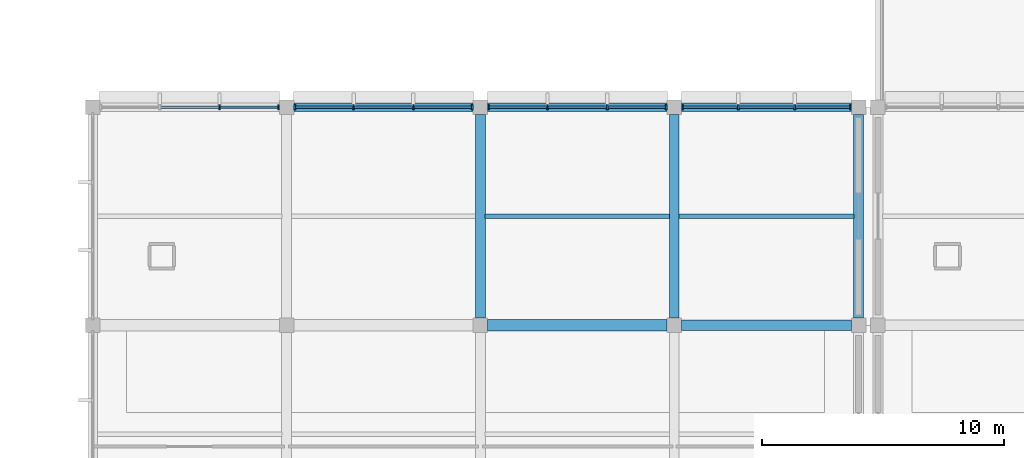
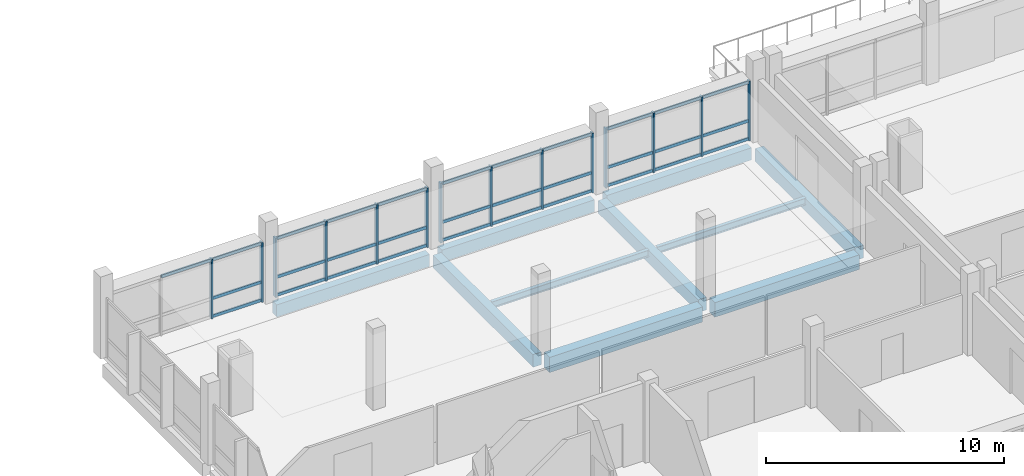
# One storey, part 22 of 70: 45 members, 10 beams, 4 elements without a shape of their own.
"""IFC4 building model written with IfcOpenShell, lengths in metres."""

from ifc_helpers import new_model, si_unit, direction, frame, origin, origin_2d, place, context, subcontext, project, spatial, rectangle, i_section, extrude, material, material_profile, profile_set, type_object, element, aggregate, save


model = new_model("IFC4")

# Units and contexts
model_context = context("Model", 3, precision=1e-05, world=origin(), true_north=direction((0.0, 1.0)))
body_context = subcontext(model_context, "Body", "Model", "MODEL_VIEW")
ifc_project = project(units=[si_unit("LENGTHUNIT", "METRE"), si_unit("AREAUNIT", "SQUARE_METRE"), si_unit("VOLUMEUNIT", "CUBIC_METRE"), si_unit("PLANEANGLEUNIT", "RADIAN"), si_unit("MASSUNIT", "GRAM", prefix="KILO"), si_unit("THERMODYNAMICTEMPERATUREUNIT", "KELVIN"), si_unit("POWERUNIT", "WATT")], contexts=[model_context])

# Site, building, storey
site_placement = place(None, origin())
site = spatial("IfcSite", under=ifc_project, at=site_placement, CompositionType="ELEMENT")
building_placement = place(site_placement, origin())
building = spatial("IfcBuilding", under=site, at=building_placement, Name="Kronsvod Quay Wholesale Market", CompositionType="ELEMENT")
storey_placement = place(building_placement, frame((0.0, 0.0, 9.0)))
storey = spatial("IfcBuildingStorey", under=building, at=storey_placement, Name="L02", CompositionType="ELEMENT", Elevation=9.0)

# Beams
ifc_material_1 = material(Name="Precast concrete C40/50", Category="concrete")
ifc_material_profile_1 = material_profile(ifc_material_1, rectangle(XDim=0.39990234375, YDim=0.64990234375, at=origin_2d()), Name="PCB400x650")
ifc_profile_set_1 = profile_set([ifc_material_profile_1], Name="Precast concrete C40/50")
beam_type_1 = type_object("IfcBeamType", Name="Beam_PCB400x650", PredefinedType="BEAM", material=ifc_profile_set_1)
for number, where, z_axis, x_axis, name in (
    (1, (48.0, 117.300048828125, -0.635009765625), (0.0, 1.0, 0.0), (-1.0, 0.0, 0.0), "BMY-L02-480-1170"),
    (2, (56.0, 117.300048828125, -0.635009765625), (0.0, 1.0, 0.0), (-1.0, 0.0, 0.0), "BMY-L02-560-1170"),
    (3, (63.60009765625, 117.300048828125, -0.635009765625), (0.0, 1.0, 0.0), (-1.0, 0.0, 0.0), "BMY-L02-636-1170"),
):
    element("IfcBeam", number, at=place(storey_placement, frame(where, z_axis=z_axis, x_axis=x_axis)), inside=storey, type_object=beam_type_1, Name=name, PredefinedType="BEAM", context=body_context, shape_type="SweptSolid", body=[
        extrude(rectangle(XDim=0.39990234375, YDim=0.64990234375, at=origin_2d()), origin(), (0.0, 0.0, 1.0), 8.39990234375),
    ])
ifc_material_2 = material(Name="Precast concrete C40/50", Category="concrete")
ifc_material_profile_2 = material_profile(ifc_material_2, rectangle(XDim=0.449951171875, YDim=0.75, at=origin_2d()), Name="PCB450x750")
ifc_profile_set_2 = profile_set([ifc_material_profile_2], Name="Precast concrete C40/50")
beam_type_2 = type_object("IfcBeamType", Name="Beam_PCB450x750", PredefinedType="BEAM", material=ifc_profile_set_2)
beam_1_placement = place(storey_placement, frame((56.300048828125, 117.0, -0.68505859375), z_axis=(1.0, 0.0, 0.0), x_axis=(0.0, 1.0, 0.0)))
element("IfcBeam", 4, at=beam_1_placement, inside=storey, type_object=beam_type_2, Name="BMX-L02-560-1170", PredefinedType="BEAM", context=body_context, shape_type="SweptSolid", body=[
    extrude(rectangle(XDim=0.449951171875, YDim=0.75, at=origin_2d()), origin(), (0.0, 0.0, 1.0), 7.0),
])
ifc_material_3 = material(Name="Precast concrete C40/50", Category="concrete")
ifc_material_profile_3 = material_profile(ifc_material_3, rectangle(XDim=0.4599609375, YDim=0.780029296875, at=origin_2d()), Name="PB-03")
ifc_profile_set_3 = profile_set([ifc_material_profile_3], Name="Precast concrete C40/50")
beam_type_3 = type_object("IfcBeamType", Name="Beam_PCB460x780", PredefinedType="BEAM", material=ifc_profile_set_3)
beam_2_placement = place(storey_placement, frame((48.300048828125, 117.0, -0.699951171875), z_axis=(1.0, 0.0, 0.0), x_axis=(0.0, 1.0, 0.0)))
element("IfcBeam", 5, at=beam_2_placement, inside=storey, type_object=beam_type_3, Name="BMX-L02-480-1170", PredefinedType="BEAM", context=body_context, shape_type="SweptSolid", body=[
    extrude(rectangle(XDim=0.4599609375, YDim=0.780029296875, at=origin_2d()), origin(), (0.0, 0.0, 1.0), 7.39990234375),
])
ifc_material_4 = material(Name="Steel S355", Category="steel")
ifc_material_profile_4 = material_profile(ifc_material_4, i_section(OverallWidth=0.174072265625, OverallDepth=0.345947265625, WebThickness=0.006103515625, FlangeThickness=0.009033203125, FilletRadius=0.013916015625, at=origin_2d()), Name="35B1")
ifc_profile_set_4 = profile_set([ifc_material_profile_4], Name="Steel S355")
beam_type_4 = type_object("IfcBeamType", Name="Joist_Steel35B1", PredefinedType="JOIST", material=ifc_profile_set_4)
beam_3_placement = place(storey_placement, frame((48.195068359375, 121.5, -0.423095703125), z_axis=(1.0, 0.0, 0.0), x_axis=(0.0, 1.0, 0.0)))
element("IfcBeam", 6, at=beam_3_placement, inside=storey, type_object=beam_type_4, Name="JSTX-L02-480-1170", PredefinedType="JOIST", context=body_context, shape_type="SweptSolid", body=[
    extrude(i_section(OverallWidth=0.174072265625, OverallDepth=0.345947265625, WebThickness=0.006103515625, FlangeThickness=0.009033203125, FilletRadius=0.013916015625, at=origin_2d()), origin(), (0.0, 0.0, 1.0), 7.60986328125),
])
beam_4_placement = place(storey_placement, frame((56.195068359375, 121.5, -0.423095703125), z_axis=(1.0, 0.0, 0.0), x_axis=(0.0, 1.0, 0.0)))
element("IfcBeam", 7, at=beam_4_placement, inside=storey, type_object=beam_type_4, Name="JSTX-L02-560-1170", PredefinedType="JOIST", context=body_context, shape_type="SweptSolid", body=[
    extrude(i_section(OverallWidth=0.174072265625, OverallDepth=0.345947265625, WebThickness=0.006103515625, FlangeThickness=0.009033203125, FilletRadius=0.013916015625, at=origin_2d()), origin(), (0.0, 0.0, 1.0), 7.2099609375),
])

# Curtain wall, members
ifc_material_5 = material(Name="Thermally broken aluminium and triple low-E glazing", Category="aluminium")
curtain_wall_type_1 = type_object("IfcCurtainWallType", Name="CW_Harbour80x33", PredefinedType="NOTDEFINED", material=ifc_material_5)
curtain_wall_1_placement = place(storey_placement, origin())
curtain_wall_1 = element("IfcCurtainWall", 8, at=curtain_wall_1_placement, inside=storey, type_object=curtain_wall_type_1, Name="CWGX-L02-320-1260", PredefinedType="NOTDEFINED")
ifc_material_6 = material(Name="Anodised aluminium", Category="aluminium")
ifc_material_profile_5 = material_profile(ifc_material_6, rectangle(XDim=0.074951171875, YDim=0.199951171875, at=origin_2d()), Name="ALUM75x200")
ifc_profile_set_5 = profile_set([ifc_material_profile_5], Name="Anodised aluminium")
member_type_1 = type_object("IfcMemberType", Name="Mullion_ALU75x200", PredefinedType="MULLION", material=ifc_profile_set_5)
member_1_placement = place(storey_placement, frame((39.66748046875, 126.0, 0.0), z_axis=(0.0, 0.0, 1.0), x_axis=(1.0, 0.0, 0.0)))
member_1 = element("IfcMember", 9, at=member_1_placement, type_object=member_type_1, Name="CWGX-L02-320-1260-M1", PredefinedType="MULLION", context=body_context, shape_type="SweptSolid", body=[
    extrude(rectangle(XDim=0.074951171875, YDim=0.199951171875, at=origin_2d()), origin(), (0.0, 0.0, 1.0), 3.050048828125),
])
member_2_placement = place(storey_placement, frame((37.235107421875, 126.0, 0.0), z_axis=(0.0, 0.0, 1.0), x_axis=(1.0, 0.0, 0.0)))
member_2 = element("IfcMember", 10, at=member_2_placement, type_object=member_type_1, Name="CWGX-L02-320-1260-M2", PredefinedType="MULLION", context=body_context, shape_type="SweptSolid", body=[
    extrude(rectangle(XDim=0.074951171875, YDim=0.199951171875, at=origin_2d()), origin(), (0.0, 0.0, 1.0), 3.050048828125),
])

curtain_wall_2_placement = place(storey_placement, origin())
curtain_wall_2 = element("IfcCurtainWall", 11, at=curtain_wall_2_placement, inside=storey, type_object=curtain_wall_type_1, Name="CWGX-L02-400-1260", PredefinedType="NOTDEFINED")
member_3_placement = place(storey_placement, frame((47.66748046875, 126.0, 0.0), z_axis=(0.0, 0.0, 1.0), x_axis=(1.0, 0.0, 0.0)))
member_3 = element("IfcMember", 12, at=member_3_placement, type_object=member_type_1, Name="CWGX-L02-400-1260-M1", PredefinedType="MULLION", context=body_context, shape_type="SweptSolid", body=[
    extrude(rectangle(XDim=0.074951171875, YDim=0.199951171875, at=origin_2d()), origin(), (0.0, 0.0, 1.0), 3.050048828125),
])
member_4_placement = place(storey_placement, frame((45.235107421875, 126.0, 0.0), z_axis=(0.0, 0.0, 1.0), x_axis=(1.0, 0.0, 0.0)))
member_4 = element("IfcMember", 13, at=member_4_placement, type_object=member_type_1, Name="CWGX-L02-400-1260-M2", PredefinedType="MULLION", context=body_context, shape_type="SweptSolid", body=[
    extrude(rectangle(XDim=0.074951171875, YDim=0.199951171875, at=origin_2d()), origin(), (0.0, 0.0, 1.0), 3.050048828125),
])
member_5_placement = place(storey_placement, frame((42.764892578125, 126.0, 0.0), z_axis=(0.0, 0.0, 1.0), x_axis=(1.0, 0.0, 0.0)))
member_5 = element("IfcMember", 14, at=member_5_placement, type_object=member_type_1, Name="CWGX-L02-400-1260-M3", PredefinedType="MULLION", context=body_context, shape_type="SweptSolid", body=[
    extrude(rectangle(XDim=0.074951171875, YDim=0.199951171875, at=origin_2d()), origin(), (0.0, 0.0, 1.0), 3.050048828125),
])
member_6_placement = place(storey_placement, frame((40.33251953125, 126.0, 0.0), z_axis=(0.0, 0.0, 1.0), x_axis=(1.0, 0.0, 0.0)))
member_6 = element("IfcMember", 15, at=member_6_placement, type_object=member_type_1, Name="CWGX-L02-400-1260-M4", PredefinedType="MULLION", context=body_context, shape_type="SweptSolid", body=[
    extrude(rectangle(XDim=0.074951171875, YDim=0.199951171875, at=origin_2d()), origin(), (0.0, 0.0, 1.0), 3.050048828125),
])

curtain_wall_3_placement = place(storey_placement, origin())
curtain_wall_3 = element("IfcCurtainWall", 16, at=curtain_wall_3_placement, inside=storey, type_object=curtain_wall_type_1, Name="CWGX-L02-480-1260", PredefinedType="NOTDEFINED")
member_7_placement = place(storey_placement, frame((55.66748046875, 126.0, 0.0), z_axis=(0.0, 0.0, 1.0), x_axis=(1.0, 0.0, 0.0)))
member_7 = element("IfcMember", 17, at=member_7_placement, type_object=member_type_1, Name="CWGX-L02-480-1260-M1", PredefinedType="MULLION", context=body_context, shape_type="SweptSolid", body=[
    extrude(rectangle(XDim=0.074951171875, YDim=0.199951171875, at=origin_2d()), origin(), (0.0, 0.0, 1.0), 3.050048828125),
])
member_8_placement = place(storey_placement, frame((53.235107421875, 126.0, 0.0), z_axis=(0.0, 0.0, 1.0), x_axis=(1.0, 0.0, 0.0)))
member_8 = element("IfcMember", 18, at=member_8_placement, type_object=member_type_1, Name="CWGX-L02-480-1260-M2", PredefinedType="MULLION", context=body_context, shape_type="SweptSolid", body=[
    extrude(rectangle(XDim=0.074951171875, YDim=0.199951171875, at=origin_2d()), origin(), (0.0, 0.0, 1.0), 3.050048828125),
])
member_9_placement = place(storey_placement, frame((50.764892578125, 126.0, 0.0), z_axis=(0.0, 0.0, 1.0), x_axis=(1.0, 0.0, 0.0)))
member_9 = element("IfcMember", 19, at=member_9_placement, type_object=member_type_1, Name="CWGX-L02-480-1260-M3", PredefinedType="MULLION", context=body_context, shape_type="SweptSolid", body=[
    extrude(rectangle(XDim=0.074951171875, YDim=0.199951171875, at=origin_2d()), origin(), (0.0, 0.0, 1.0), 3.050048828125),
])
member_10_placement = place(storey_placement, frame((48.33251953125, 126.0, 0.0), z_axis=(0.0, 0.0, 1.0), x_axis=(1.0, 0.0, 0.0)))
member_10 = element("IfcMember", 20, at=member_10_placement, type_object=member_type_1, Name="CWGX-L02-480-1260-M4", PredefinedType="MULLION", context=body_context, shape_type="SweptSolid", body=[
    extrude(rectangle(XDim=0.074951171875, YDim=0.199951171875, at=origin_2d()), origin(), (0.0, 0.0, 1.0), 3.050048828125),
])

ifc_material_7 = material(Name="Thermally broken aluminium and triple low-E glazing", Category="aluminium")
curtain_wall_type_2 = type_object("IfcCurtainWallType", Name="CW_Harbour76x33", PredefinedType="NOTDEFINED", material=ifc_material_7)
curtain_wall_4_placement = place(storey_placement, origin())
curtain_wall_4 = element("IfcCurtainWall", 21, at=curtain_wall_4_placement, inside=storey, type_object=curtain_wall_type_2, Name="CWGX-L02-560-1260", PredefinedType="NOTDEFINED")
member_11_placement = place(storey_placement, frame((63.267578125, 126.0, 0.0), z_axis=(0.0, 0.0, 1.0), x_axis=(1.0, 0.0, 0.0)))
member_11 = element("IfcMember", 22, at=member_11_placement, type_object=member_type_1, Name="CWGX-L02-560-1260-M1", PredefinedType="MULLION", context=body_context, shape_type="SweptSolid", body=[
    extrude(rectangle(XDim=0.074951171875, YDim=0.199951171875, at=origin_2d()), origin(), (0.0, 0.0, 1.0), 3.050048828125),
])
member_12_placement = place(storey_placement, frame((60.96826171875, 126.0, 0.0), z_axis=(0.0, 0.0, 1.0), x_axis=(1.0, 0.0, 0.0)))
member_12 = element("IfcMember", 23, at=member_12_placement, type_object=member_type_1, Name="CWGX-L02-560-1260-M2", PredefinedType="MULLION", context=body_context, shape_type="SweptSolid", body=[
    extrude(rectangle(XDim=0.074951171875, YDim=0.199951171875, at=origin_2d()), origin(), (0.0, 0.0, 1.0), 3.050048828125),
])
member_13_placement = place(storey_placement, frame((58.631591796875, 126.0, 0.0), z_axis=(0.0, 0.0, 1.0), x_axis=(1.0, 0.0, 0.0)))
member_13 = element("IfcMember", 24, at=member_13_placement, type_object=member_type_1, Name="CWGX-L02-560-1260-M3", PredefinedType="MULLION", context=body_context, shape_type="SweptSolid", body=[
    extrude(rectangle(XDim=0.074951171875, YDim=0.199951171875, at=origin_2d()), origin(), (0.0, 0.0, 1.0), 3.050048828125),
])
member_14_placement = place(storey_placement, frame((56.33251953125, 126.0, 0.0), z_axis=(0.0, 0.0, 1.0), x_axis=(1.0, 0.0, 0.0)))
member_14 = element("IfcMember", 25, at=member_14_placement, type_object=member_type_1, Name="CWGX-L02-560-1260-M4", PredefinedType="MULLION", context=body_context, shape_type="SweptSolid", body=[
    extrude(rectangle(XDim=0.074951171875, YDim=0.199951171875, at=origin_2d()), origin(), (0.0, 0.0, 1.0), 3.050048828125),
])

# Beams
ifc_material_8 = material(Name="Precast concrete C40/50", Category="concrete")
ifc_material_profile_6 = material_profile(ifc_material_8, rectangle(XDim=0.360107421875, YDim=0.6201171875, at=origin_2d()), Name="SPB-02")
ifc_profile_set_6 = profile_set([ifc_material_profile_6], Name="Precast concrete C40/50")
beam_type_5 = type_object("IfcBeamType", Name="Spandrel_PCSP360x620", PredefinedType="SPANDREL", material=ifc_profile_set_6)
for number, where, z_axis, x_axis, name in (
    (26, (40.300048828125, 126.0, -0.6201171875), (1.0, 0.0, 0.0), (0.0, 1.0, 0.0), "BMX-L02-400-1260"),
    (27, (48.300048828125, 126.0, -0.6201171875), (1.0, 0.0, 0.0), (0.0, 1.0, 0.0), "BMX-L02-480-1260"),
):
    element("IfcBeam", number, at=place(storey_placement, frame(where, z_axis=z_axis, x_axis=x_axis)), inside=storey, type_object=beam_type_5, Name=name, PredefinedType="SPANDREL", context=body_context, shape_type="SweptSolid", body=[
        extrude(rectangle(XDim=0.360107421875, YDim=0.6201171875, at=origin_2d()), origin(), (0.0, 0.0, 1.0), 7.39990234375),
    ])
beam_5_placement = place(storey_placement, frame((56.300048828125, 126.0, -0.6201171875), z_axis=(1.0, 0.0, 0.0), x_axis=(0.0, 1.0, 0.0)))
element("IfcBeam", 28, at=beam_5_placement, inside=storey, type_object=beam_type_5, Name="BMX-L02-560-1260", PredefinedType="SPANDREL", context=body_context, shape_type="SweptSolid", body=[
    extrude(rectangle(XDim=0.360107421875, YDim=0.6201171875, at=origin_2d()), origin(), (0.0, 0.0, 1.0), 7.0),
])

# Member
ifc_material_9 = material(Name="Anodised aluminium", Category="aluminium")
ifc_material_profile_7 = material_profile(ifc_material_9, rectangle(XDim=0.074951171875, YDim=0.14990234375, at=origin_2d()), Name="ALUT75x150")
ifc_profile_set_7 = profile_set([ifc_material_profile_7], Name="Anodised aluminium")
member_type_2 = type_object("IfcMemberType", Name="Transom_ALU75x150", PredefinedType="USERDEFINED", material=ifc_profile_set_7)
member_15_placement = place(storey_placement, frame((39.6298828125, 126.0, 0.074951171875), z_axis=(-1.0, 0.0, 0.0), x_axis=(0.0, -1.0, 0.0)))
member_15 = element("IfcMember", 29, at=member_15_placement, type_object=member_type_2, Name="CWGX-L02-320-1260-T1B1", ObjectType="TRANSOM", PredefinedType="USERDEFINED", context=body_context, shape_type="SweptSolid", body=[
    extrude(rectangle(XDim=0.074951171875, YDim=0.14990234375, at=origin_2d()), origin(), (0.0, 0.0, 1.0), 2.357421875),
])

member_16_placement = place(storey_placement, frame((39.6298828125, 126.0, 1.0), z_axis=(-1.0, 0.0, 0.0), x_axis=(0.0, -1.0, 0.0)))
member_16 = element("IfcMember", 30, at=member_16_placement, type_object=member_type_2, Name="CWGX-L02-320-1260-T2B1", ObjectType="TRANSOM", PredefinedType="USERDEFINED", context=body_context, shape_type="SweptSolid", body=[
    extrude(rectangle(XDim=0.074951171875, YDim=0.14990234375, at=origin_2d()), origin(), (0.0, 0.0, 1.0), 2.357421875),
])

member_17_placement = place(storey_placement, frame((39.6298828125, 126.0, 2.97509765625), z_axis=(-1.0, 0.0, 0.0), x_axis=(0.0, -1.0, 0.0)))
member_17 = element("IfcMember", 31, at=member_17_placement, type_object=member_type_2, Name="CWGX-L02-320-1260-T3B1", ObjectType="TRANSOM", PredefinedType="USERDEFINED", context=body_context, shape_type="SweptSolid", body=[
    extrude(rectangle(XDim=0.074951171875, YDim=0.14990234375, at=origin_2d()), origin(), (0.0, 0.0, 1.0), 2.357421875),
])

member_18_placement = place(storey_placement, frame((37.197509765625, 126.0, 2.97509765625), z_axis=(-1.0, 0.0, 0.0), x_axis=(0.0, -1.0, 0.0)))
member_18 = element("IfcMember", 32, at=member_18_placement, type_object=member_type_2, Name="CWGX-L02-320-1260-T3B2", ObjectType="TRANSOM", PredefinedType="USERDEFINED", context=body_context, shape_type="SweptSolid", body=[
    extrude(rectangle(XDim=0.074951171875, YDim=0.14990234375, at=origin_2d()), origin(), (0.0, 0.0, 1.0), 2.39501953125),
])

aggregate(curtain_wall_1, [member_1, member_2, member_15, member_16, member_17, member_18])

member_19_placement = place(storey_placement, frame((47.6298828125, 126.0, 0.074951171875), z_axis=(-1.0, 0.0, 0.0), x_axis=(0.0, -1.0, 0.0)))
member_19 = element("IfcMember", 33, at=member_19_placement, type_object=member_type_2, Name="CWGX-L02-400-1260-T1B1", ObjectType="TRANSOM", PredefinedType="USERDEFINED", context=body_context, shape_type="SweptSolid", body=[
    extrude(rectangle(XDim=0.074951171875, YDim=0.14990234375, at=origin_2d()), origin(), (0.0, 0.0, 1.0), 2.357421875),
])

member_20_placement = place(storey_placement, frame((45.197509765625, 126.0, 0.074951171875), z_axis=(-1.0, 0.0, 0.0), x_axis=(0.0, -1.0, 0.0)))
member_20 = element("IfcMember", 34, at=member_20_placement, type_object=member_type_2, Name="CWGX-L02-400-1260-T1B2", ObjectType="TRANSOM", PredefinedType="USERDEFINED", context=body_context, shape_type="SweptSolid", body=[
    extrude(rectangle(XDim=0.074951171875, YDim=0.14990234375, at=origin_2d()), origin(), (0.0, 0.0, 1.0), 2.39501953125),
])

member_21_placement = place(storey_placement, frame((42.7275390625, 126.0, 0.074951171875), z_axis=(-1.0, 0.0, 0.0), x_axis=(0.0, -1.0, 0.0)))
member_21 = element("IfcMember", 35, at=member_21_placement, type_object=member_type_2, Name="CWGX-L02-400-1260-T1B3", ObjectType="TRANSOM", PredefinedType="USERDEFINED", context=body_context, shape_type="SweptSolid", body=[
    extrude(rectangle(XDim=0.074951171875, YDim=0.14990234375, at=origin_2d()), origin(), (0.0, 0.0, 1.0), 2.357421875),
])

member_22_placement = place(storey_placement, frame((47.6298828125, 126.0, 1.0), z_axis=(-1.0, 0.0, 0.0), x_axis=(0.0, -1.0, 0.0)))
member_22 = element("IfcMember", 36, at=member_22_placement, type_object=member_type_2, Name="CWGX-L02-400-1260-T2B1", ObjectType="TRANSOM", PredefinedType="USERDEFINED", context=body_context, shape_type="SweptSolid", body=[
    extrude(rectangle(XDim=0.074951171875, YDim=0.14990234375, at=origin_2d()), origin(), (0.0, 0.0, 1.0), 2.357421875),
])

member_23_placement = place(storey_placement, frame((45.197509765625, 126.0, 1.0), z_axis=(-1.0, 0.0, 0.0), x_axis=(0.0, -1.0, 0.0)))
member_23 = element("IfcMember", 37, at=member_23_placement, type_object=member_type_2, Name="CWGX-L02-400-1260-T2B2", ObjectType="TRANSOM", PredefinedType="USERDEFINED", context=body_context, shape_type="SweptSolid", body=[
    extrude(rectangle(XDim=0.074951171875, YDim=0.14990234375, at=origin_2d()), origin(), (0.0, 0.0, 1.0), 2.39501953125),
])

member_24_placement = place(storey_placement, frame((42.7275390625, 126.0, 1.0), z_axis=(-1.0, 0.0, 0.0), x_axis=(0.0, -1.0, 0.0)))
member_24 = element("IfcMember", 38, at=member_24_placement, type_object=member_type_2, Name="CWGX-L02-400-1260-T2B3", ObjectType="TRANSOM", PredefinedType="USERDEFINED", context=body_context, shape_type="SweptSolid", body=[
    extrude(rectangle(XDim=0.074951171875, YDim=0.14990234375, at=origin_2d()), origin(), (0.0, 0.0, 1.0), 2.357421875),
])

member_25_placement = place(storey_placement, frame((47.6298828125, 126.0, 2.97509765625), z_axis=(-1.0, 0.0, 0.0), x_axis=(0.0, -1.0, 0.0)))
member_25 = element("IfcMember", 39, at=member_25_placement, type_object=member_type_2, Name="CWGX-L02-400-1260-T3B1", ObjectType="TRANSOM", PredefinedType="USERDEFINED", context=body_context, shape_type="SweptSolid", body=[
    extrude(rectangle(XDim=0.074951171875, YDim=0.14990234375, at=origin_2d()), origin(), (0.0, 0.0, 1.0), 2.357421875),
])

member_26_placement = place(storey_placement, frame((45.197509765625, 126.0, 2.97509765625), z_axis=(-1.0, 0.0, 0.0), x_axis=(0.0, -1.0, 0.0)))
member_26 = element("IfcMember", 40, at=member_26_placement, type_object=member_type_2, Name="CWGX-L02-400-1260-T3B2", ObjectType="TRANSOM", PredefinedType="USERDEFINED", context=body_context, shape_type="SweptSolid", body=[
    extrude(rectangle(XDim=0.074951171875, YDim=0.14990234375, at=origin_2d()), origin(), (0.0, 0.0, 1.0), 2.39501953125),
])

member_27_placement = place(storey_placement, frame((42.7275390625, 126.0, 2.97509765625), z_axis=(-1.0, 0.0, 0.0), x_axis=(0.0, -1.0, 0.0)))
member_27 = element("IfcMember", 41, at=member_27_placement, type_object=member_type_2, Name="CWGX-L02-400-1260-T3B3", ObjectType="TRANSOM", PredefinedType="USERDEFINED", context=body_context, shape_type="SweptSolid", body=[
    extrude(rectangle(XDim=0.074951171875, YDim=0.14990234375, at=origin_2d()), origin(), (0.0, 0.0, 1.0), 2.357421875),
])

aggregate(curtain_wall_2, [member_3, member_4, member_5, member_6, member_19, member_20, member_21, member_22, member_23, member_24, member_25, member_26, member_27])

member_28_placement = place(storey_placement, frame((55.6298828125, 126.0, 0.074951171875), z_axis=(-1.0, 0.0, 0.0), x_axis=(0.0, -1.0, 0.0)))
member_28 = element("IfcMember", 42, at=member_28_placement, type_object=member_type_2, Name="CWGX-L02-480-1260-T1B1", ObjectType="TRANSOM", PredefinedType="USERDEFINED", context=body_context, shape_type="SweptSolid", body=[
    extrude(rectangle(XDim=0.074951171875, YDim=0.14990234375, at=origin_2d()), origin(), (0.0, 0.0, 1.0), 2.357421875),
])

member_29_placement = place(storey_placement, frame((53.197509765625, 126.0, 0.074951171875), z_axis=(-1.0, 0.0, 0.0), x_axis=(0.0, -1.0, 0.0)))
member_29 = element("IfcMember", 43, at=member_29_placement, type_object=member_type_2, Name="CWGX-L02-480-1260-T1B2", ObjectType="TRANSOM", PredefinedType="USERDEFINED", context=body_context, shape_type="SweptSolid", body=[
    extrude(rectangle(XDim=0.074951171875, YDim=0.14990234375, at=origin_2d()), origin(), (0.0, 0.0, 1.0), 2.39501953125),
])

member_30_placement = place(storey_placement, frame((50.7275390625, 126.0, 0.074951171875), z_axis=(-1.0, 0.0, 0.0), x_axis=(0.0, -1.0, 0.0)))
member_30 = element("IfcMember", 44, at=member_30_placement, type_object=member_type_2, Name="CWGX-L02-480-1260-T1B3", ObjectType="TRANSOM", PredefinedType="USERDEFINED", context=body_context, shape_type="SweptSolid", body=[
    extrude(rectangle(XDim=0.074951171875, YDim=0.14990234375, at=origin_2d()), origin(), (0.0, 0.0, 1.0), 2.357421875),
])

member_31_placement = place(storey_placement, frame((55.6298828125, 126.0, 1.0), z_axis=(-1.0, 0.0, 0.0), x_axis=(0.0, -1.0, 0.0)))
member_31 = element("IfcMember", 45, at=member_31_placement, type_object=member_type_2, Name="CWGX-L02-480-1260-T2B1", ObjectType="TRANSOM", PredefinedType="USERDEFINED", context=body_context, shape_type="SweptSolid", body=[
    extrude(rectangle(XDim=0.074951171875, YDim=0.14990234375, at=origin_2d()), origin(), (0.0, 0.0, 1.0), 2.357421875),
])

member_32_placement = place(storey_placement, frame((53.197509765625, 126.0, 1.0), z_axis=(-1.0, 0.0, 0.0), x_axis=(0.0, -1.0, 0.0)))
member_32 = element("IfcMember", 46, at=member_32_placement, type_object=member_type_2, Name="CWGX-L02-480-1260-T2B2", ObjectType="TRANSOM", PredefinedType="USERDEFINED", context=body_context, shape_type="SweptSolid", body=[
    extrude(rectangle(XDim=0.074951171875, YDim=0.14990234375, at=origin_2d()), origin(), (0.0, 0.0, 1.0), 2.39501953125),
])

member_33_placement = place(storey_placement, frame((50.7275390625, 126.0, 1.0), z_axis=(-1.0, 0.0, 0.0), x_axis=(0.0, -1.0, 0.0)))
member_33 = element("IfcMember", 47, at=member_33_placement, type_object=member_type_2, Name="CWGX-L02-480-1260-T2B3", ObjectType="TRANSOM", PredefinedType="USERDEFINED", context=body_context, shape_type="SweptSolid", body=[
    extrude(rectangle(XDim=0.074951171875, YDim=0.14990234375, at=origin_2d()), origin(), (0.0, 0.0, 1.0), 2.357421875),
])

member_34_placement = place(storey_placement, frame((55.6298828125, 126.0, 2.97509765625), z_axis=(-1.0, 0.0, 0.0), x_axis=(0.0, -1.0, 0.0)))
member_34 = element("IfcMember", 48, at=member_34_placement, type_object=member_type_2, Name="CWGX-L02-480-1260-T3B1", ObjectType="TRANSOM", PredefinedType="USERDEFINED", context=body_context, shape_type="SweptSolid", body=[
    extrude(rectangle(XDim=0.074951171875, YDim=0.14990234375, at=origin_2d()), origin(), (0.0, 0.0, 1.0), 2.357421875),
])

member_35_placement = place(storey_placement, frame((53.197509765625, 126.0, 2.97509765625), z_axis=(-1.0, 0.0, 0.0), x_axis=(0.0, -1.0, 0.0)))
member_35 = element("IfcMember", 49, at=member_35_placement, type_object=member_type_2, Name="CWGX-L02-480-1260-T3B2", ObjectType="TRANSOM", PredefinedType="USERDEFINED", context=body_context, shape_type="SweptSolid", body=[
    extrude(rectangle(XDim=0.074951171875, YDim=0.14990234375, at=origin_2d()), origin(), (0.0, 0.0, 1.0), 2.39501953125),
])

member_36_placement = place(storey_placement, frame((50.7275390625, 126.0, 2.97509765625), z_axis=(-1.0, 0.0, 0.0), x_axis=(0.0, -1.0, 0.0)))
member_36 = element("IfcMember", 50, at=member_36_placement, type_object=member_type_2, Name="CWGX-L02-480-1260-T3B3", ObjectType="TRANSOM", PredefinedType="USERDEFINED", context=body_context, shape_type="SweptSolid", body=[
    extrude(rectangle(XDim=0.074951171875, YDim=0.14990234375, at=origin_2d()), origin(), (0.0, 0.0, 1.0), 2.357421875),
])

aggregate(curtain_wall_3, [member_7, member_8, member_9, member_10, member_28, member_29, member_30, member_31, member_32, member_33, member_34, member_35, member_36])

member_37_placement = place(storey_placement, frame((63.22998046875, 126.0, 0.074951171875), z_axis=(-1.0, 0.0, 0.0), x_axis=(0.0, -1.0, 0.0)))
member_37 = element("IfcMember", 51, at=member_37_placement, type_object=member_type_2, Name="CWGX-L02-560-1260-T1B1", ObjectType="TRANSOM", PredefinedType="USERDEFINED", context=body_context, shape_type="SweptSolid", body=[
    extrude(rectangle(XDim=0.074951171875, YDim=0.14990234375, at=origin_2d()), origin(), (0.0, 0.0, 1.0), 2.22412109375),
])

member_38_placement = place(storey_placement, frame((60.930908203125, 126.0, 0.074951171875), z_axis=(-1.0, 0.0, 0.0), x_axis=(0.0, -1.0, 0.0)))
member_38 = element("IfcMember", 52, at=member_38_placement, type_object=member_type_2, Name="CWGX-L02-560-1260-T1B2", ObjectType="TRANSOM", PredefinedType="USERDEFINED", context=body_context, shape_type="SweptSolid", body=[
    extrude(rectangle(XDim=0.074951171875, YDim=0.14990234375, at=origin_2d()), origin(), (0.0, 0.0, 1.0), 2.26171875),
])

member_39_placement = place(storey_placement, frame((58.59423828125, 126.0, 0.074951171875), z_axis=(-1.0, 0.0, 0.0), x_axis=(0.0, -1.0, 0.0)))
member_39 = element("IfcMember", 53, at=member_39_placement, type_object=member_type_2, Name="CWGX-L02-560-1260-T1B3", ObjectType="TRANSOM", PredefinedType="USERDEFINED", context=body_context, shape_type="SweptSolid", body=[
    extrude(rectangle(XDim=0.074951171875, YDim=0.14990234375, at=origin_2d()), origin(), (0.0, 0.0, 1.0), 2.22412109375),
])

member_40_placement = place(storey_placement, frame((63.22998046875, 126.0, 1.0), z_axis=(-1.0, 0.0, 0.0), x_axis=(0.0, -1.0, 0.0)))
member_40 = element("IfcMember", 54, at=member_40_placement, type_object=member_type_2, Name="CWGX-L02-560-1260-T2B1", ObjectType="TRANSOM", PredefinedType="USERDEFINED", context=body_context, shape_type="SweptSolid", body=[
    extrude(rectangle(XDim=0.074951171875, YDim=0.14990234375, at=origin_2d()), origin(), (0.0, 0.0, 1.0), 2.22412109375),
])

member_41_placement = place(storey_placement, frame((60.930908203125, 126.0, 1.0), z_axis=(-1.0, 0.0, 0.0), x_axis=(0.0, -1.0, 0.0)))
member_41 = element("IfcMember", 55, at=member_41_placement, type_object=member_type_2, Name="CWGX-L02-560-1260-T2B2", ObjectType="TRANSOM", PredefinedType="USERDEFINED", context=body_context, shape_type="SweptSolid", body=[
    extrude(rectangle(XDim=0.074951171875, YDim=0.14990234375, at=origin_2d()), origin(), (0.0, 0.0, 1.0), 2.26171875),
])

member_42_placement = place(storey_placement, frame((58.59423828125, 126.0, 1.0), z_axis=(-1.0, 0.0, 0.0), x_axis=(0.0, -1.0, 0.0)))
member_42 = element("IfcMember", 56, at=member_42_placement, type_object=member_type_2, Name="CWGX-L02-560-1260-T2B3", ObjectType="TRANSOM", PredefinedType="USERDEFINED", context=body_context, shape_type="SweptSolid", body=[
    extrude(rectangle(XDim=0.074951171875, YDim=0.14990234375, at=origin_2d()), origin(), (0.0, 0.0, 1.0), 2.22412109375),
])

member_43_placement = place(storey_placement, frame((63.22998046875, 126.0, 2.97509765625), z_axis=(-1.0, 0.0, 0.0), x_axis=(0.0, -1.0, 0.0)))
member_43 = element("IfcMember", 57, at=member_43_placement, type_object=member_type_2, Name="CWGX-L02-560-1260-T3B1", ObjectType="TRANSOM", PredefinedType="USERDEFINED", context=body_context, shape_type="SweptSolid", body=[
    extrude(rectangle(XDim=0.074951171875, YDim=0.14990234375, at=origin_2d()), origin(), (0.0, 0.0, 1.0), 2.22412109375),
])

member_44_placement = place(storey_placement, frame((60.930908203125, 126.0, 2.97509765625), z_axis=(-1.0, 0.0, 0.0), x_axis=(0.0, -1.0, 0.0)))
member_44 = element("IfcMember", 58, at=member_44_placement, type_object=member_type_2, Name="CWGX-L02-560-1260-T3B2", ObjectType="TRANSOM", PredefinedType="USERDEFINED", context=body_context, shape_type="SweptSolid", body=[
    extrude(rectangle(XDim=0.074951171875, YDim=0.14990234375, at=origin_2d()), origin(), (0.0, 0.0, 1.0), 2.26171875),
])

member_45_placement = place(storey_placement, frame((58.59423828125, 126.0, 2.97509765625), z_axis=(-1.0, 0.0, 0.0), x_axis=(0.0, -1.0, 0.0)))
member_45 = element("IfcMember", 59, at=member_45_placement, type_object=member_type_2, Name="CWGX-L02-560-1260-T3B3", ObjectType="TRANSOM", PredefinedType="USERDEFINED", context=body_context, shape_type="SweptSolid", body=[
    extrude(rectangle(XDim=0.074951171875, YDim=0.14990234375, at=origin_2d()), origin(), (0.0, 0.0, 1.0), 2.22412109375),
])

aggregate(curtain_wall_4, [member_11, member_12, member_13, member_14, member_37, member_38, member_39, member_40, member_41, member_42, member_43, member_44, member_45])

save(model, "model.ifc")
